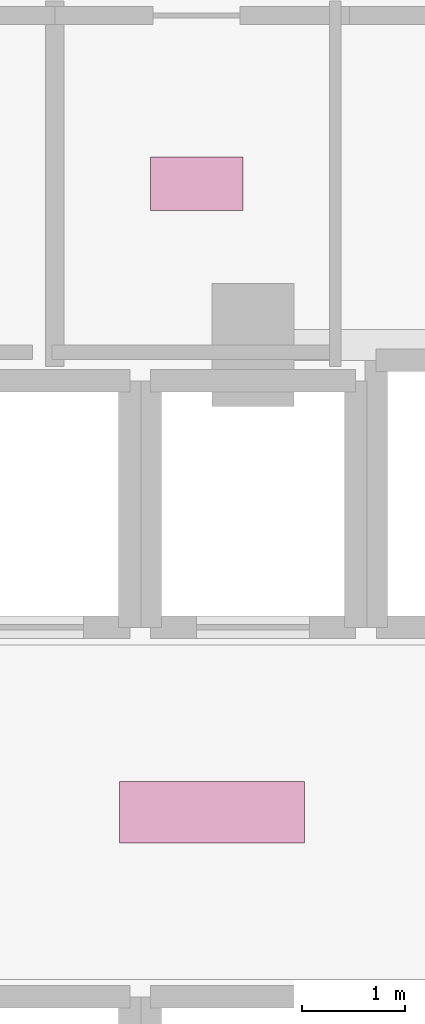
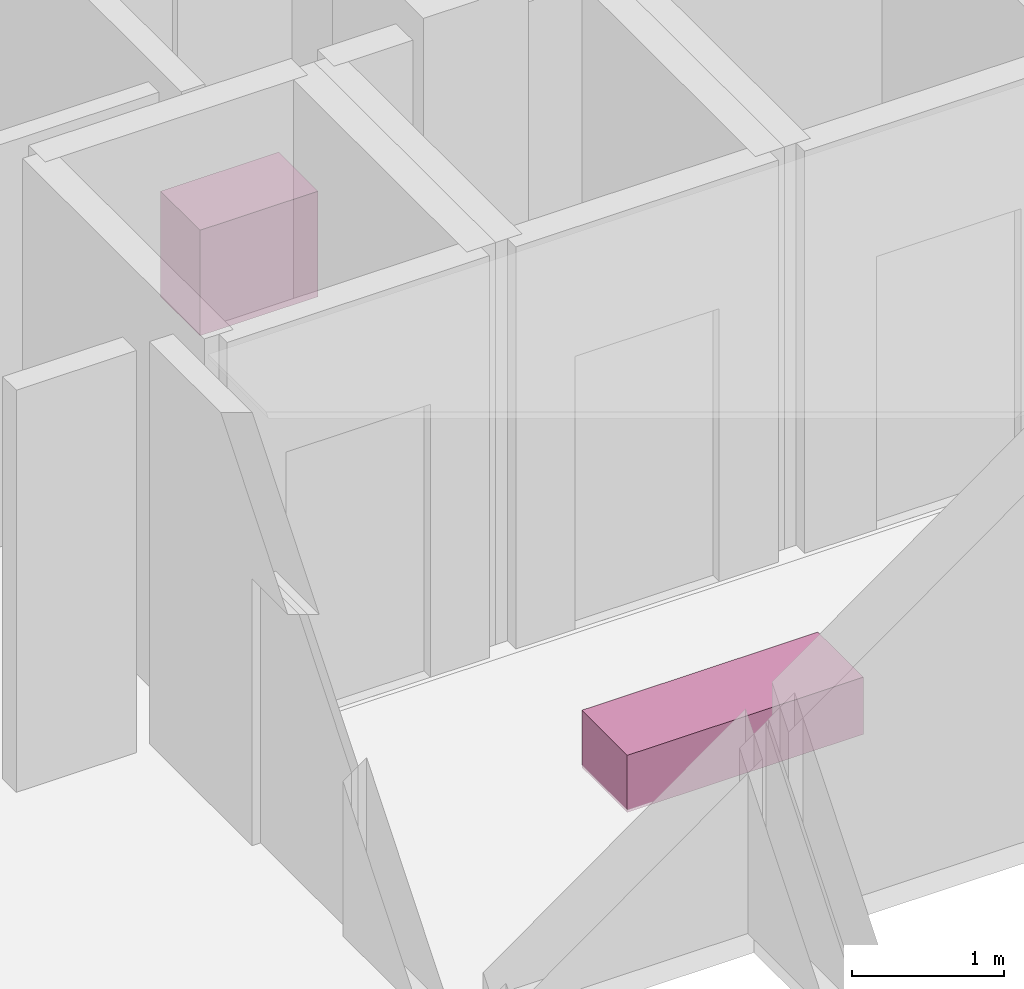
# One storey, part 29 of 29: 2 furnishings.
"""IFC4 building model written with IfcOpenShell, lengths in metres."""

from ifc_helpers import new_model, si_unit, direction, frame, origin, origin_2d, place, context, subcontext, project, spatial, rectangle, extrude, material, type_object, element, save


model = new_model("IFC4")

# Units and contexts
model_context = context("Model", 3, precision=1e-05, world=origin(), true_north=direction((0.0, 1.0)))
body_context = subcontext(model_context, "Body", "Model", "MODEL_VIEW")
ifc_project = project(units=[si_unit("LENGTHUNIT", "METRE"), si_unit("AREAUNIT", "SQUARE_METRE"), si_unit("VOLUMEUNIT", "CUBIC_METRE"), si_unit("PLANEANGLEUNIT", "RADIAN"), si_unit("MASSUNIT", "GRAM", prefix="KILO")], contexts=[model_context])

# Site, building, storey
site_placement = place(None, origin())
site = spatial("IfcSite", under=ifc_project, at=site_placement, CompositionType="ELEMENT")
building_placement = place(site_placement, origin())
building = spatial("IfcBuilding", under=site, at=building_placement, Name="Vorneva Point Tower", CompositionType="ELEMENT")
storey_placement = place(building_placement, frame((0.0, 0.0, 85.800048828125)))
storey = spatial("IfcBuildingStorey", under=building, at=storey_placement, Name="L22", CompositionType="ELEMENT", Elevation=85.800048828125)

# Furnishings
ifc_material_1 = material(Name="Engineered oak fire-rated door leaf", Category="wood")
furniture_type_1 = type_object("IfcFurnitureType", Name="FUR-BNC-1800", AssemblyPlace="NOTDEFINED", PredefinedType="NOTDEFINED", material=ifc_material_1)
furnishing_1_placement = place(storey_placement, frame((35.0, 26.0, -0.005126953125), z_axis=(0.0, 0.0, 1.0), x_axis=(1.0, 0.0, 0.0)))
element("IfcFurnishingElement", 1, at=furnishing_1_placement, inside=storey, type_object=furniture_type_1, Name="L22 Lift Lobby Seating Bench", ObjectType="L22 Lift Lobby Seating Bench", context=body_context, shape_type="SweptSolid", body=[
    extrude(rectangle(XDim=1.800048828125, YDim=0.60009765625, at=origin_2d()), origin(), (0.0, 0.0, 1.0), 0.4599609375),
])
ifc_material_2 = material(Name="Vitreous china and granite top", Category="masonry")
furniture_type_2 = type_object("IfcFurnitureType", Name="FUR-VAN-900", AssemblyPlace="NOTDEFINED", PredefinedType="NOTDEFINED", material=ifc_material_2)
furnishing_2_placement = place(storey_placement, frame((34.85009765625, 32.1201171875, -0.005126953125), z_axis=(0.0, 0.0, 1.0), x_axis=(1.0, 0.0, 0.0)))
element("IfcFurnishingElement", 2, at=furnishing_2_placement, inside=storey, type_object=furniture_type_2, Name="L22 Public Male WC Vanity Unit", ObjectType="L22 Public Male WC Vanity Unit", context=body_context, shape_type="SweptSolid", body=[
    extrude(rectangle(XDim=0.89990234375, YDim=0.52001953125, at=origin_2d()), origin(), (0.0, 0.0, 1.0), 0.85009765625),
])

save(model, "model.ifc")
